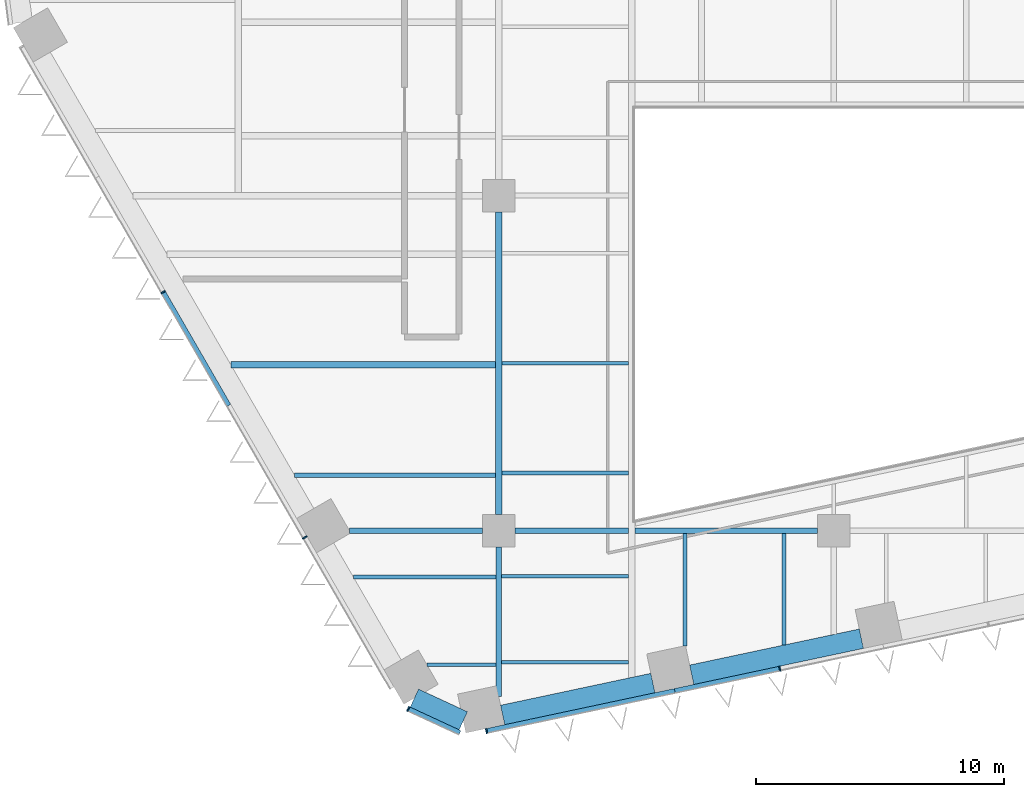
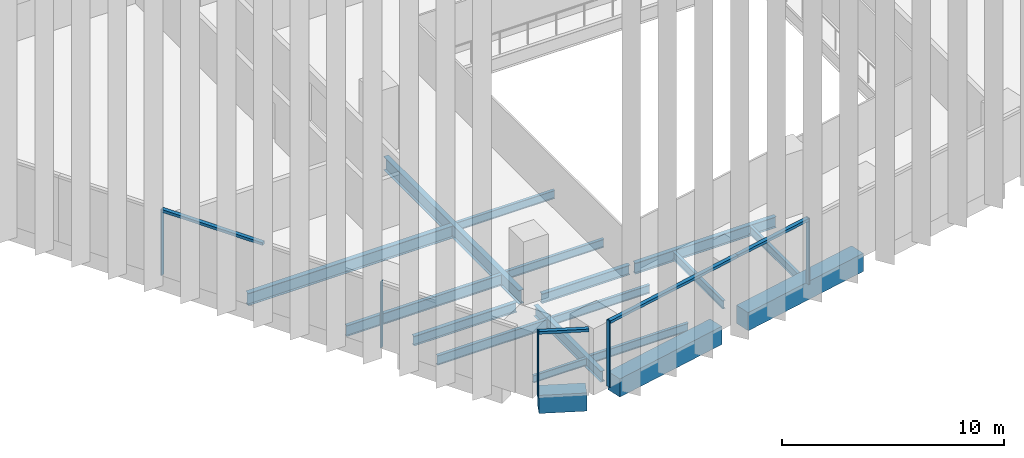
# One storey, part 2 of 24: 18 beams, 9 members, 3 elements without a shape of their own.
"""IFC4 building model written with IfcOpenShell, lengths in metres."""

from ifc_helpers import new_model, si_unit, direction, frame, origin, origin_2d, place, context, subcontext, project, spatial, rectangle, i_section, extrude, material, layer, layer_set, material_profile, profile_set, type_object, element, aggregate, save


model = new_model("IFC4")

# Units and contexts
model_context = context("Model", 3, precision=1e-05, world=origin(), true_north=direction((0.0, 1.0)))
body_context = subcontext(model_context, "Body", "Model", "MODEL_VIEW")
ifc_project = project(units=[si_unit("LENGTHUNIT", "METRE"), si_unit("AREAUNIT", "SQUARE_METRE"), si_unit("VOLUMEUNIT", "CUBIC_METRE"), si_unit("PLANEANGLEUNIT", "RADIAN"), si_unit("MASSUNIT", "GRAM", prefix="KILO")], contexts=[model_context])

# Site, building, storey
site_placement = place(None, origin())
site = spatial("IfcSite", under=ifc_project, at=site_placement, CompositionType="ELEMENT")
building_placement = place(site_placement, origin())
building = spatial("IfcBuilding", under=site, at=building_placement, Name="Isthmus Gate Tower", CompositionType="ELEMENT")
storey_placement = place(building_placement, frame((0.0, 0.0, 80.64990234375)))
storey = spatial("IfcBuildingStorey", under=building, at=storey_placement, Name="L18", CompositionType="ELEMENT", Elevation=80.64990234375)

# Curtain wall, members
ifc_material_1 = material(Name="Aluminium, pale champagne anodised", Category="aluminium")
ifc_layer = layer(ifc_material_1, 0.199951171875)
ifc_layer_set = layer_set([ifc_layer], Name="CW-1 UNITISED CURTAIN WALL 200 DEEP")
curtain_wall_type = type_object("IfcCurtainWallType", Name="CW-1 UNITISED CURTAIN WALL 200 DEEP", PredefinedType="NOTDEFINED", material=ifc_layer_set)
curtain_wall_1_placement = place(storey_placement, origin())
curtain_wall_1 = element("IfcCurtainWall", 1, at=curtain_wall_1_placement, inside=storey, type_object=curtain_wall_type, Name="CW-1 SW L18", PredefinedType="NOTDEFINED")
ifc_material_2 = material(Name="Aluminium, pale champagne anodised", Category="aluminium")
ifc_material_profile_1 = material_profile(ifc_material_2, rectangle(XDim=0.06005859375, YDim=0.199951171875, at=origin_2d()), Name="60x200")
ifc_profile_set_1 = profile_set([ifc_material_profile_1], Name="Aluminium, pale champagne anodised")
member_type_1 = type_object("IfcMemberType", Name="CW-1 MULLION 60 X 200", PredefinedType="MULLION", material=ifc_profile_set_1)
member_1_placement = place(storey_placement, frame((-27.026611328125, -17.388427734375, 0.0), z_axis=(0.0, 0.0, 1.0), x_axis=(0.5, -0.866025403784, 0.0)))
member_1 = element("IfcMember", 2, at=member_1_placement, type_object=member_type_1, Name="CW-1 mullion", PredefinedType="MULLION", context=body_context, shape_type="SweptSolid", body=[
    extrude(rectangle(XDim=0.06005859375, YDim=0.199951171875, at=origin_2d()), origin(), (0.0, 0.0, 1.0), 3.650146484375),
])
member_2_placement = place(storey_placement, frame((-21.318115234375, -27.27587890625, 0.0), z_axis=(0.0, 0.0, 1.0), x_axis=(0.5, -0.866025403784, 0.0)))
member_2 = element("IfcMember", 3, at=member_2_placement, type_object=member_type_1, Name="CW-1 mullion", PredefinedType="MULLION", context=body_context, shape_type="SweptSolid", body=[
    extrude(rectangle(XDim=0.06005859375, YDim=0.199951171875, at=origin_2d()), origin(), (0.0, 0.0, 1.0), 3.650146484375),
])

# Curtain wall, member
curtain_wall_2_placement = place(storey_placement, origin())
curtain_wall_2 = element("IfcCurtainWall", 4, at=curtain_wall_2_placement, inside=storey, type_object=curtain_wall_type, Name="CW-1 SW-S L18", PredefinedType="NOTDEFINED")
member_3_placement = place(storey_placement, frame((-17.14794921875, -34.184814453125, 0.0), z_axis=(0.0, 0.0, 1.0), x_axis=(0.907256261367, -0.420578264073, 0.0)))
member_3 = element("IfcMember", 5, at=member_3_placement, type_object=member_type_1, Name="CW-1 mullion", PredefinedType="MULLION", context=body_context, shape_type="SweptSolid", body=[
    extrude(rectangle(XDim=0.06005859375, YDim=0.199951171875, at=origin_2d()), origin(), (0.0, 0.0, 1.0), 3.650146484375),
])

# Curtain wall, members
curtain_wall_3_placement = place(storey_placement, origin())
curtain_wall_3 = element("IfcCurtainWall", 6, at=curtain_wall_3_placement, inside=storey, type_object=curtain_wall_type, Name="CW-1 S L18", PredefinedType="NOTDEFINED")
member_4_placement = place(storey_placement, frame((-13.992919921875, -35.076416015625, 0.0), z_axis=(0.0, 0.0, 1.0), x_axis=(0.978147600734, 0.207911690818, 0.0)))
member_4 = element("IfcMember", 7, at=member_4_placement, type_object=member_type_1, Name="CW-1 mullion", PredefinedType="MULLION", context=body_context, shape_type="SweptSolid", body=[
    extrude(rectangle(XDim=0.06005859375, YDim=0.199951171875, at=origin_2d()), origin(), (0.0, 0.0, 1.0), 3.650146484375),
])
member_5_placement = place(storey_placement, frame((-2.1728515625, -32.564208984375, 0.0), z_axis=(0.0, 0.0, 1.0), x_axis=(0.978147600734, 0.207911690818, 0.0)))
member_5 = element("IfcMember", 8, at=member_5_placement, type_object=member_type_1, Name="CW-1 mullion", PredefinedType="MULLION", context=body_context, shape_type="SweptSolid", body=[
    extrude(rectangle(XDim=0.06005859375, YDim=0.199951171875, at=origin_2d()), origin(), (0.0, 0.0, 1.0), 3.650146484375),
])

# Member
ifc_material_3 = material(Name="Aluminium, pale champagne anodised", Category="aluminium")
ifc_material_profile_2 = material_profile(ifc_material_3, rectangle(XDim=0.199951171875, YDim=0.14990234375, at=origin_2d()), Name="200x150")
ifc_profile_set_2 = profile_set([ifc_material_profile_2], Name="Aluminium, pale champagne anodised")
member_type_2 = type_object("IfcMemberType", Name="CW-1 TRANSOM 200 X 150", PredefinedType="USERDEFINED", material=ifc_profile_set_2)
member_6_placement = place(storey_placement, frame((-27.01171875, -17.414306640625, 3.5751953125), z_axis=(0.499996256241, -0.866027565234, 0.0), x_axis=(0.866027565234, 0.499996256241, 0.0)))
member_6 = element("IfcMember", 9, at=member_6_placement, type_object=member_type_2, Name="CW-1 transom", ObjectType="TRANSOM", PredefinedType="USERDEFINED", context=body_context, shape_type="SweptSolid", body=[
    extrude(rectangle(XDim=0.199951171875, YDim=0.14990234375, at=origin_2d()), origin(), (0.0, 0.0, 1.0), 5.24853515625),
])

aggregate(curtain_wall_1, [member_1, member_6, member_2])

member_7_placement = place(storey_placement, frame((-17.120849609375, -34.197509765625, 3.5751953125), z_axis=(0.907246225564, -0.420599912268, 0.0), x_axis=(0.420599912268, 0.907246225564, 0.0)))
member_7 = element("IfcMember", 10, at=member_7_placement, type_object=member_type_2, Name="CW-1 transom", ObjectType="TRANSOM", PredefinedType="USERDEFINED", context=body_context, shape_type="SweptSolid", body=[
    extrude(rectangle(XDim=0.199951171875, YDim=0.14990234375, at=origin_2d()), origin(), (0.0, 0.0, 1.0), 2.258544921875),
])

aggregate(curtain_wall_2, [member_3, member_7])

member_8_placement = place(storey_placement, frame((-13.963623046875, -35.0703125, 3.5751953125), z_axis=(0.97815050153, 0.207898043176, 0.0), x_axis=(-0.207898043176, 0.97815050153, 0.0)))
member_8 = element("IfcMember", 11, at=member_8_placement, type_object=member_type_2, Name="CW-1 transom", ObjectType="TRANSOM", PredefinedType="USERDEFINED", context=body_context, shape_type="SweptSolid", body=[
    extrude(rectangle(XDim=0.199951171875, YDim=0.14990234375, at=origin_2d()), origin(), (0.0, 0.0, 1.0), 7.7294921875),
])

member_9_placement = place(storey_placement, frame((-6.403076171875, -33.46337890625, 3.5751953125), z_axis=(0.97813890815, 0.207952582007, 0.0), x_axis=(-0.207952582007, 0.97813890815, 0.0)))
member_9 = element("IfcMember", 12, at=member_9_placement, type_object=member_type_2, Name="CW-1 transom", ObjectType="TRANSOM", PredefinedType="USERDEFINED", context=body_context, shape_type="SweptSolid", body=[
    extrude(rectangle(XDim=0.199951171875, YDim=0.14990234375, at=origin_2d()), origin(), (0.0, 0.0, 1.0), 4.294677734375),
])

aggregate(curtain_wall_3, [member_4, member_8, member_9, member_5])

# Beams
ifc_material_4 = material(Name="Concrete f'c 70 MPa", Category="concrete")
ifc_material_profile_3 = material_profile(ifc_material_4, rectangle(XDim=0.800048828125, YDim=1.0, at=origin_2d()), Name="RC 800X1000")
ifc_profile_set_3 = profile_set([ifc_material_profile_3], Name="Concrete f'c 70 MPa")
beam_type_1 = type_object("IfcBeamType", Name="RC SPANDREL 800 X 1000", PredefinedType="SPANDREL", material=ifc_profile_set_3)
beam_1_placement = place(storey_placement, frame((1.112060546875, -31.354736328125, -0.5), z_axis=(-0.978149173437, -0.207904291694, 0.0), x_axis=(0.207904291694, -0.978149173437, 0.0)))
element("IfcBeam", 13, at=beam_1_placement, inside=storey, type_object=beam_type_1, Name="str-spandrel-L18-12", PredefinedType="SPANDREL", context=body_context, shape_type="SweptSolid", body=[
    extrude(rectangle(XDim=0.800048828125, YDim=1.0, at=origin_2d()), origin(), (0.0, 0.0, 1.0), 6.989501953125),
])
beam_2_placement = place(storey_placement, frame((-7.28955078125, -33.140625, -0.5), z_axis=(-0.978155442329, -0.207874795591, 0.0), x_axis=(0.207874795591, -0.978155442329, 0.0)))
element("IfcBeam", 14, at=beam_2_placement, inside=storey, type_object=beam_type_1, Name="str-spandrel-L18-13", PredefinedType="SPANDREL", context=body_context, shape_type="SweptSolid", body=[
    extrude(rectangle(XDim=0.800048828125, YDim=1.0, at=origin_2d()), origin(), (0.0, 0.0, 1.0), 6.189453125),
])
beam_3_placement = place(storey_placement, frame((-14.929443359375, -34.662109375, -0.5), z_axis=(-0.907290744498, 0.420503870314, 0.0), x_axis=(-0.420503870314, -0.907290744498, 0.0)))
element("IfcBeam", 15, at=beam_3_placement, inside=storey, type_object=beam_type_1, Name="str-spandrel-L18-14", PredefinedType="SPANDREL", context=body_context, shape_type="SweptSolid", body=[
    extrude(rectangle(XDim=0.800048828125, YDim=1.0, at=origin_2d()), origin(), (0.0, 0.0, 1.0), 2.173095703125),
])
ifc_material_5 = material(Name="Structural steel ASTM A992 Gr 50", Category="steel")
ifc_material_profile_4 = material_profile(ifc_material_5, i_section(OverallWidth=0.1396484375, OverallDepth=0.4033203125, WebThickness=0.00634765625, FlangeThickness=0.010986328125, at=origin_2d()), Name="W16X31")
ifc_profile_set_4 = profile_set([ifc_material_profile_4], Name="Structural steel ASTM A992 Gr 50")
beam_type_2 = type_object("IfcBeamType", Name="STEEL FLOOR BEAM W16X31", PredefinedType="JOIST", material=ifc_profile_set_4)
beam_4_placement = place(storey_placement, frame((-16.393310546875, -32.406005859375, -0.3515625), z_axis=(1.0, 0.0, 0.0), x_axis=(0.0, 1.0, 0.0)))
element("IfcBeam", 16, at=beam_4_placement, inside=storey, type_object=beam_type_2, Name="str-beam-L18-10-00", PredefinedType="JOIST", context=body_context, shape_type="SweptSolid", body=[
    extrude(i_section(OverallWidth=0.1396484375, OverallDepth=0.4033203125, WebThickness=0.00634765625, FlangeThickness=0.010986328125, at=origin_2d()), origin(), (0.0, 0.0, 1.0), 2.779052734375),
])
ifc_material_6 = material(Name="Structural steel ASTM A992 Gr 50", Category="steel")
ifc_material_profile_5 = material_profile(ifc_material_6, i_section(OverallWidth=0.15234375, OverallDepth=0.45068359375, WebThickness=0.0078125, FlangeThickness=0.010986328125, at=origin_2d()), Name="W18X35")
ifc_profile_set_5 = profile_set([ifc_material_profile_5], Name="Structural steel ASTM A992 Gr 50")
beam_type_3 = type_object("IfcBeamType", Name="STEEL FLOOR BEAM W18X35", PredefinedType="JOIST", material=ifc_profile_set_5)
for number, where, z_axis, x_axis, name in (
    (17, (-13.3857421875, -32.30322265625, -0.375244140625), (1.0, 0.0, 0.0), (0.0, 1.0, 0.0), "str-beam-L18-11-00"),
    (18, (-13.3857421875, -28.837646484375, -0.375244140625), (1.0, 0.0, 0.0), (0.0, 1.0, 0.0), "str-beam-L18-11-01"),
):
    element("IfcBeam", number, at=place(storey_placement, frame(where, z_axis=z_axis, x_axis=x_axis)), inside=storey, type_object=beam_type_3, Name=name, PredefinedType="JOIST", context=body_context, shape_type="SweptSolid", body=[
        extrude(i_section(OverallWidth=0.15234375, OverallDepth=0.45068359375, WebThickness=0.0078125, FlangeThickness=0.010986328125, at=origin_2d()), origin(), (0.0, 0.0, 1.0), 5.119140625),
    ])
for number, where, z_axis, x_axis, name in (
    (19, (-13.3681640625, -24.68017578125, -0.375244140625), (1.0, 0.0, 0.0), (0.0, 1.0, 0.0), "str-beam-L18-13-00"),
    (20, (-13.3681640625, -20.25, -0.375244140625), (1.0, 0.0, 0.0), (0.0, 1.0, 0.0), "str-beam-L18-13-01"),
):
    element("IfcBeam", number, at=place(storey_placement, frame(where, z_axis=z_axis, x_axis=x_axis)), inside=storey, type_object=beam_type_3, Name=name, PredefinedType="JOIST", context=body_context, shape_type="SweptSolid", body=[
        extrude(i_section(OverallWidth=0.15234375, OverallDepth=0.45068359375, WebThickness=0.0078125, FlangeThickness=0.010986328125, at=origin_2d()), origin(), (0.0, 0.0, 1.0), 5.1015625),
    ])
beam_5_placement = place(storey_placement, frame((-6.0, -31.6396484375, -0.375244140625), z_axis=(0.0, 1.0, 0.0), x_axis=(-1.0, 0.0, 0.0)))
element("IfcBeam", 21, at=beam_5_placement, inside=storey, type_object=beam_type_3, Name="str-beam-L18-16-00", PredefinedType="JOIST", context=body_context, shape_type="SweptSolid", body=[
    extrude(i_section(OverallWidth=0.15234375, OverallDepth=0.45068359375, WebThickness=0.0078125, FlangeThickness=0.010986328125, at=origin_2d()), origin(), (0.0, 0.0, 1.0), 4.525390625),
])
beam_6_placement = place(storey_placement, frame((-2.0, -31.607177734375, -0.375244140625), z_axis=(0.0, 1.0, 0.0), x_axis=(-1.0, 0.0, 0.0)))
element("IfcBeam", 22, at=beam_6_placement, inside=storey, type_object=beam_type_3, Name="str-beam-L18-16-01", PredefinedType="JOIST", context=body_context, shape_type="SweptSolid", body=[
    extrude(i_section(OverallWidth=0.15234375, OverallDepth=0.45068359375, WebThickness=0.0078125, FlangeThickness=0.010986328125, at=origin_2d()), origin(), (0.0, 0.0, 1.0), 4.492919921875),
])
ifc_material_7 = material(Name="Structural steel ASTM A992 Gr 50", Category="steel")
ifc_material_profile_6 = material_profile(ifc_material_7, i_section(OverallWidth=0.1650390625, OverallDepth=0.52392578125, WebThickness=0.009521484375, FlangeThickness=0.010986328125, at=origin_2d()), Name="W21X44")
ifc_profile_set_6 = profile_set([ifc_material_profile_6], Name="Structural steel ASTM A992 Gr 50")
beam_type_4 = type_object("IfcBeamType", Name="STEEL FLOOR BEAM W21X44", PredefinedType="JOIST", material=ifc_profile_set_6)
beam_7_placement = place(storey_placement, frame((-19.357421875, -28.871826171875, -0.411865234375), z_axis=(1.0, 0.0, 0.0), x_axis=(0.0, 1.0, 0.0)))
element("IfcBeam", 23, at=beam_7_placement, inside=storey, type_object=beam_type_4, Name="str-beam-L18-10-01", PredefinedType="JOIST", context=body_context, shape_type="SweptSolid", body=[
    extrude(i_section(OverallWidth=0.1650390625, OverallDepth=0.52392578125, WebThickness=0.009521484375, FlangeThickness=0.010986328125, at=origin_2d()), origin(), (0.0, 0.0, 1.0), 5.7431640625),
])
ifc_material_8 = material(Name="Structural steel ASTM A992 Gr 50", Category="steel")
ifc_material_profile_7 = material_profile(ifc_material_8, i_section(OverallWidth=0.177734375, OverallDepth=0.60009765625, WebThickness=0.009521484375, FlangeThickness=0.0126953125, at=origin_2d()), Name="W24X55")
ifc_profile_set_7 = profile_set([ifc_material_profile_7], Name="Structural steel ASTM A992 Gr 50")
beam_type_5 = type_object("IfcBeamType", Name="STEEL FLOOR BEAM W24X55", PredefinedType="JOIST", material=ifc_profile_set_7)
beam_8_placement = place(storey_placement, frame((-21.724365234375, -24.772216796875, -0.449951171875), z_axis=(1.0, 0.0, 0.0), x_axis=(0.0, 1.0, 0.0)))
element("IfcBeam", 24, at=beam_8_placement, inside=storey, type_object=beam_type_5, Name="str-beam-L18-06-00", PredefinedType="JOIST", context=body_context, shape_type="SweptSolid", body=[
    extrude(i_section(OverallWidth=0.177734375, OverallDepth=0.60009765625, WebThickness=0.009521484375, FlangeThickness=0.0126953125, at=origin_2d()), origin(), (0.0, 0.0, 1.0), 8.092529296875),
])
ifc_material_9 = material(Name="Structural steel ASTM A992 Gr 50", Category="steel")
ifc_material_profile_8 = material_profile(ifc_material_9, i_section(OverallWidth=0.25390625, OverallDepth=0.679443359375, WebThickness=0.010986328125, FlangeThickness=0.015869140625, at=origin_2d()), Name="W27X84")
ifc_profile_set_8 = profile_set([ifc_material_profile_8], Name="Structural steel ASTM A992 Gr 50")
beam_type_6 = type_object("IfcBeamType", Name="STEEL FLOOR BEAM W27X84", PredefinedType="JOIST", material=ifc_profile_set_8)
beam_9_placement = place(storey_placement, frame((-24.296875, -20.316650390625, -0.489501953125), z_axis=(1.0, 0.0, 0.0), x_axis=(0.0, 1.0, 0.0)))
element("IfcBeam", 25, at=beam_9_placement, inside=storey, type_object=beam_type_6, Name="str-beam-L18-06-01", PredefinedType="JOIST", context=body_context, shape_type="SweptSolid", body=[
    extrude(i_section(OverallWidth=0.25390625, OverallDepth=0.679443359375, WebThickness=0.010986328125, FlangeThickness=0.015869140625, at=origin_2d()), origin(), (0.0, 0.0, 1.0), 10.6650390625),
])
ifc_material_10 = material(Name="Structural steel ASTM A992 Gr 50", Category="steel")
ifc_material_profile_9 = material_profile(ifc_material_10, i_section(OverallWidth=0.20947265625, OverallDepth=0.533447265625, WebThickness=0.009521484375, FlangeThickness=0.015869140625, at=origin_2d()), Name="W21X62")
ifc_profile_set_9 = profile_set([ifc_material_profile_9], Name="Structural steel ASTM A992 Gr 50")
beam_type_7 = type_object("IfcBeamType", Name="STEEL GIRDER W21X62", PredefinedType="BEAM", material=ifc_profile_set_9)
beam_10_placement = place(storey_placement, frame((-19.514404296875, -27.0, -0.41650390625), z_axis=(1.0, 0.0, 0.0), x_axis=(0.0, 1.0, 0.0)))
element("IfcBeam", 26, at=beam_10_placement, inside=storey, type_object=beam_type_7, Name="str-girder-L18-01", PredefinedType="BEAM", context=body_context, shape_type="SweptSolid", body=[
    extrude(i_section(OverallWidth=0.20947265625, OverallDepth=0.533447265625, WebThickness=0.009521484375, FlangeThickness=0.015869140625, at=origin_2d()), origin(), (0.0, 0.0, 1.0), 5.364501953125),
])
beam_11_placement = place(storey_placement, frame((-12.85009765625, -27.0, -0.41650390625), z_axis=(1.0, 0.0, 0.0), x_axis=(0.0, 1.0, 0.0)))
element("IfcBeam", 27, at=beam_11_placement, inside=storey, type_object=beam_type_7, Name="str-girder-L18-02", PredefinedType="BEAM", context=body_context, shape_type="SweptSolid", body=[
    extrude(i_section(OverallWidth=0.20947265625, OverallDepth=0.533447265625, WebThickness=0.009521484375, FlangeThickness=0.015869140625, at=origin_2d()), origin(), (0.0, 0.0, 1.0), 4.58349609375),
])
ifc_material_11 = material(Name="Structural steel ASTM A992 Gr 50", Category="steel")
ifc_material_profile_10 = material_profile(ifc_material_11, i_section(OverallWidth=0.228515625, OverallDepth=0.603271484375, WebThickness=0.010986328125, FlangeThickness=0.014404296875, at=origin_2d()), Name="W24X68")
ifc_profile_set_10 = profile_set([ifc_material_profile_10], Name="Structural steel ASTM A992 Gr 50")
beam_type_8 = type_object("IfcBeamType", Name="STEEL GIRDER W24X68", PredefinedType="BEAM", material=ifc_profile_set_10)
beam_12_placement = place(storey_placement, frame((-8.0, -27.0, -0.451416015625), z_axis=(1.0, 0.0, 0.0), x_axis=(0.0, 1.0, 0.0)))
element("IfcBeam", 28, at=beam_12_placement, inside=storey, type_object=beam_type_8, Name="str-girder-L18-03", PredefinedType="BEAM", context=body_context, shape_type="SweptSolid", body=[
    extrude(i_section(OverallWidth=0.228515625, OverallDepth=0.603271484375, WebThickness=0.010986328125, FlangeThickness=0.014404296875, at=origin_2d()), origin(), (0.0, 0.0, 1.0), 7.35009765625),
])
beam_13_placement = place(storey_placement, frame((-13.5, -33.69189453125, -0.451416015625), z_axis=(0.0, 1.0, 0.0), x_axis=(-1.0, 0.0, 0.0)))
element("IfcBeam", 29, at=beam_13_placement, inside=storey, type_object=beam_type_8, Name="str-girder-L18-24", PredefinedType="BEAM", context=body_context, shape_type="SweptSolid", body=[
    extrude(i_section(OverallWidth=0.228515625, OverallDepth=0.603271484375, WebThickness=0.010986328125, FlangeThickness=0.014404296875, at=origin_2d()), origin(), (0.0, 0.0, 1.0), 6.0419921875),
])
ifc_material_12 = material(Name="Structural steel ASTM A992 Gr 50", Category="steel")
ifc_material_profile_11 = material_profile(ifc_material_12, i_section(OverallWidth=0.263427734375, OverallDepth=0.749267578125, WebThickness=0.0126953125, FlangeThickness=0.015869140625, at=origin_2d()), Name="W30X90")
ifc_profile_set_11 = profile_set([ifc_material_profile_11], Name="Structural steel ASTM A992 Gr 50")
beam_type_9 = type_object("IfcBeamType", Name="STEEL GIRDER W30X90", PredefinedType="BEAM", material=ifc_profile_set_11)
beam_14_placement = place(storey_placement, frame((-13.5, -26.35009765625, -0.524658203125), z_axis=(0.0, 1.0, 0.0), x_axis=(-1.0, 0.0, 0.0)))
element("IfcBeam", 30, at=beam_14_placement, inside=storey, type_object=beam_type_9, Name="str-girder-L18-25", PredefinedType="BEAM", context=body_context, shape_type="SweptSolid", body=[
    extrude(i_section(OverallWidth=0.263427734375, OverallDepth=0.749267578125, WebThickness=0.0126953125, FlangeThickness=0.015869140625, at=origin_2d()), origin(), (0.0, 0.0, 1.0), 12.2001953125),
])

save(model, "model.ifc")
